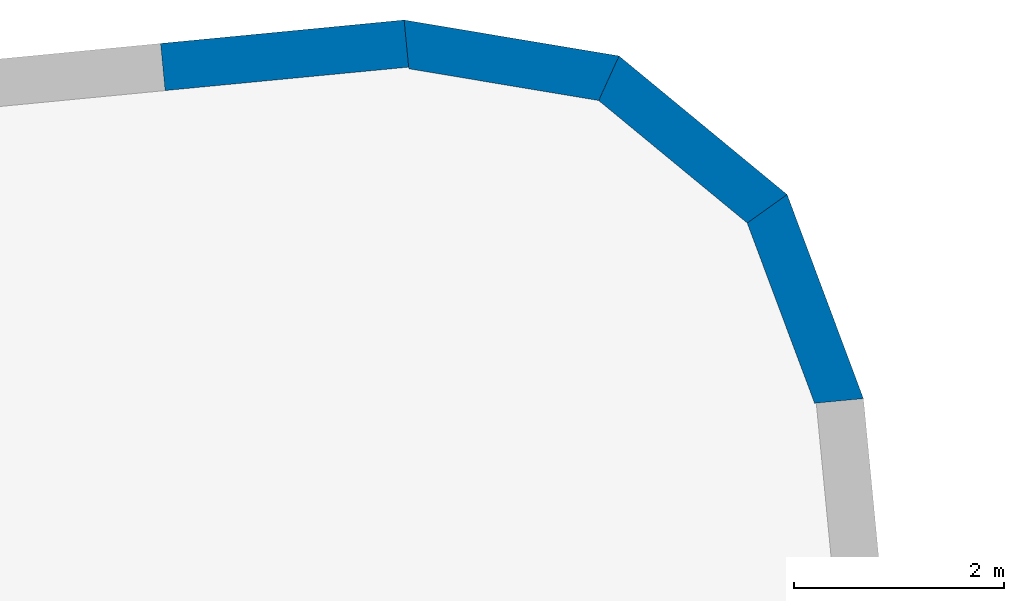
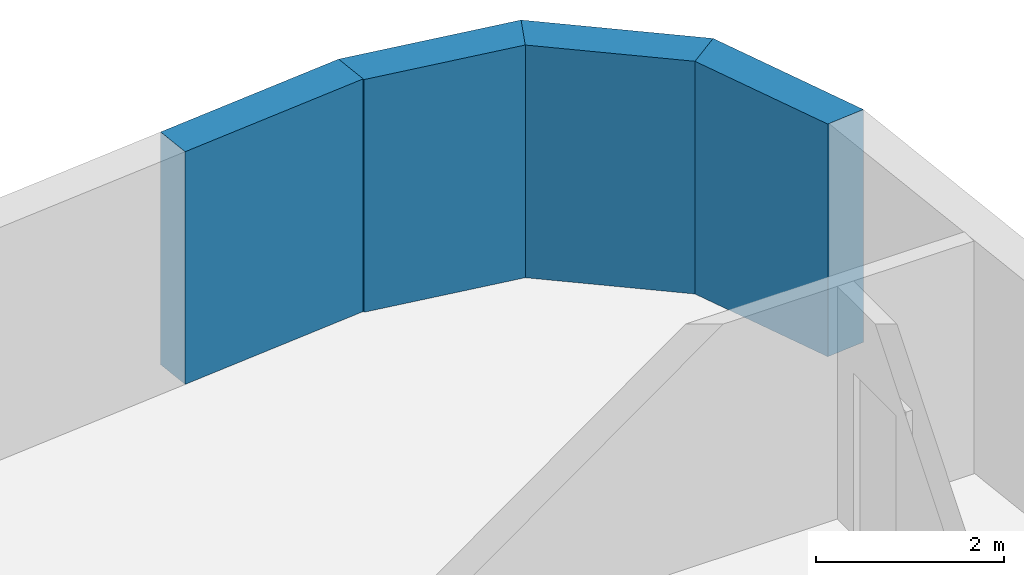
# One storey, part 8 of 12: 4 walls.
"""IFC4 building model written with IfcOpenShell, lengths in metres."""

from ifc_helpers import new_model, si_unit, direction, frame, frame_2d, origin, place, context, subcontext, project, spatial, polyline, rectangle, outline, extrude, material, layer, layer_set, type_object, element, save


model = new_model("IFC4")

# Units and contexts
model_context = context("Model", 3, precision=1e-05, world=origin(), true_north=direction((0.0, 1.0)))
body_context = subcontext(model_context, "Body", "Model", "MODEL_VIEW")
ifc_project = project(units=[si_unit("LENGTHUNIT", "METRE"), si_unit("AREAUNIT", "SQUARE_METRE"), si_unit("VOLUMEUNIT", "CUBIC_METRE"), si_unit("PLANEANGLEUNIT", "RADIAN"), si_unit("MASSUNIT", "GRAM", prefix="KILO")], contexts=[model_context])

# Site, building, storey
site_placement = place(None, origin())
site = spatial("IfcSite", under=ifc_project, at=site_placement, CompositionType="ELEMENT")
building_placement = place(site_placement, origin())
building = spatial("IfcBuilding", under=site, at=building_placement, Name="Kajstack Hotel Tower", CompositionType="ELEMENT")
storey_placement = place(building_placement, frame((0.0, 0.0, 173.5)))
storey = spatial("IfcBuildingStorey", under=building, at=storey_placement, Name="L40", CompositionType="ELEMENT", Elevation=173.5)

# Walls
ifc_material = material(Name="Terracotta-faced brick masonry", Category="masonry")
ifc_layer = layer(ifc_material, 0.449951171875)
ifc_layer_set = layer_set([ifc_layer], Name="EW-TERRA")
wall_type = type_object("IfcWallType", Name="EW-TERRA", PredefinedType="SOLIDWALL", material=ifc_layer_set)
wall_1_placement = place(storey_placement, frame((37.96875, 20.320556640625, 0.0), z_axis=(0.0, 0.0, 1.0), x_axis=(-0.350192909346, 0.936677599948, 0.0)))
element("IfcWall", 1, at=wall_1_placement, inside=storey, type_object=wall_type, Name="E-wall-L40-09-00", PredefinedType="SOLIDWALL", context=body_context, shape_type="SweptSolid", body=[
    extrude(outline(polyline([(0.0, -0.22509765625), (2.070556640625, -0.22509765625), (1.949951171875, 0.22509765625), (0.12060546875, 0.224853515625), (0.0, -0.22509765625)])), origin(), (0.0, 0.0, 1.0), 3.02001953125),
])
wall_2_placement = place(storey_placement, frame((37.311279296875, 22.165283203125, 0.0), z_axis=(0.0, 0.0, 1.0), x_axis=(-0.771651049663, 0.636046112757, 0.0)))
element("IfcWall", 2, at=wall_2_placement, inside=storey, type_object=wall_type, Name="E-wall-L40-10-00", PredefinedType="SOLIDWALL", context=body_context, shape_type="SweptSolid", body=[
    extrude(outline(polyline([(0.0, -0.224853515625), (2.0703125, -0.22509765625), (1.94970703125, 0.224853515625), (0.12060546875, 0.22509765625), (0.0, -0.224853515625)])), origin(), (0.0, 0.0, 1.0), 3.02001953125),
])
wall_3_placement = place(storey_placement, frame((35.819580078125, 23.433837890625, 0.0), z_axis=(0.0, 0.0, 1.0), x_axis=(-0.986278951104, 0.165087342366, 0.0)))
element("IfcWall", 3, at=wall_3_placement, inside=storey, type_object=wall_type, Name="E-wall-L40-11-00", PredefinedType="SOLIDWALL", context=body_context, shape_type="SweptSolid", body=[
    extrude(outline(polyline([(0.0, -0.22509765625), (2.070556640625, -0.224853515625), (1.949951171875, 0.22509765625), (0.12060546875, 0.224853515625), (0.0, -0.22509765625)])), origin(), (0.0, 0.0, 1.0), 3.02001953125),
])
wall_4_placement = place(storey_placement, frame((33.836181640625, 23.7734375, 0.0), z_axis=(0.0, 0.0, 1.0), x_axis=(-0.995405373555, -0.095750416695, 0.0)))
element("IfcWall", 4, at=wall_4_placement, inside=storey, type_object=wall_type, Name="E-wall-L40-12-00", PredefinedType="SOLIDWALL", context=body_context, shape_type="SweptSolid", body=[
    extrude(rectangle(XDim=2.325439453125, YDim=0.449951171875, at=frame_2d((1.16259765625, 0.0))), origin(), (0.0, 0.0, 1.0), 3.02001953125),
])

save(model, "model.ifc")
